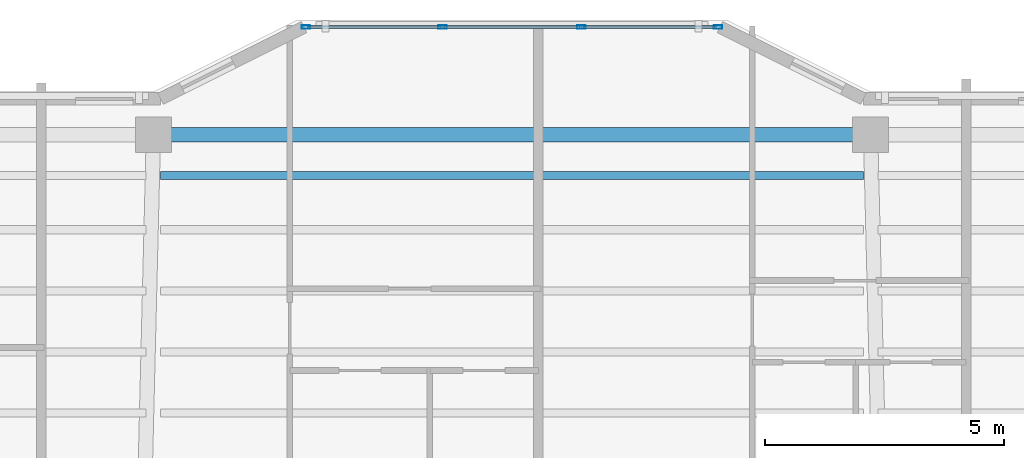
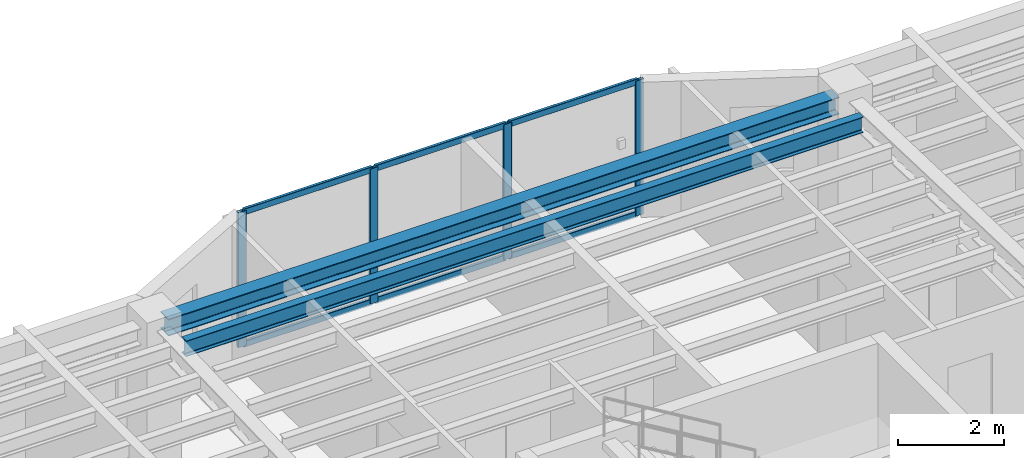
# One storey, part 2 of 12: 10 members, 2 beams, 1 element without a shape of its own.
"""IFC4 building model written with IfcOpenShell, lengths in metres."""

from ifc_helpers import new_model, si_unit, direction, frame, origin, origin_2d, place, context, subcontext, project, spatial, hollow_rectangle, i_section, extrude, material, layer, layer_set, material_profile, profile_set, type_object, element, aggregate, save


model = new_model("IFC4")

# Units and contexts
model_context = context("Model", 3, precision=1e-05, world=origin(), true_north=direction((0.0, 1.0)))
body_context = subcontext(model_context, "Body", "Model", "MODEL_VIEW")
ifc_project = project(units=[si_unit("LENGTHUNIT", "METRE"), si_unit("AREAUNIT", "SQUARE_METRE"), si_unit("VOLUMEUNIT", "CUBIC_METRE"), si_unit("PLANEANGLEUNIT", "RADIAN"), si_unit("MASSUNIT", "GRAM", prefix="KILO")], contexts=[model_context])

# Site, building, storey
site_placement = place(None, origin())
site = spatial("IfcSite", under=ifc_project, at=site_placement, CompositionType="ELEMENT")
building_placement = place(site_placement, origin())
building = spatial("IfcBuilding", under=site, at=building_placement, Name="Tarnavaz Court Tower", CompositionType="ELEMENT")
storey_placement = place(building_placement, frame((0.0, 0.0, 207.0)))
storey = spatial("IfcBuildingStorey", under=building, at=storey_placement, Name="L56", CompositionType="ELEMENT", Elevation=207.0)

# Beams
ifc_material_1 = material(Name="Steel S355", Category="steel")
ifc_material_profile_1 = material_profile(ifc_material_1, i_section(OverallWidth=0.169921875, OverallDepth=0.360107421875, WebThickness=0.008056640625, FlangeThickness=0.0126953125, FilletRadius=0.01806640625, at=origin_2d()), Name="IPE 360")
ifc_profile_set_1 = profile_set([ifc_material_profile_1], Name="Steel S355")
beam_type_1 = type_object("IfcBeamType", Name="BM-J-IPE360", PredefinedType="JOIST", material=ifc_profile_set_1)
beam_1_placement = place(storey_placement, frame((-7.35009765625, 19.248046875, 2.919921875), z_axis=(1.0, 0.0, 0.0), x_axis=(0.0, 1.0, 0.0)))
element("IfcBeam", 1, at=beam_1_placement, inside=storey, type_object=beam_type_1, Name="L56 Beam JN5-2", PredefinedType="JOIST", context=body_context, shape_type="SweptSolid", body=[
    extrude(i_section(OverallWidth=0.169921875, OverallDepth=0.360107421875, WebThickness=0.008056640625, FlangeThickness=0.0126953125, FilletRadius=0.01806640625, at=origin_2d()), origin(), (0.0, 0.0, 1.0), 14.7001953125),
])
ifc_material_profile_2 = material_profile(ifc_material_1, i_section(OverallWidth=0.300048828125, OverallDepth=0.389892578125, WebThickness=0.010986328125, FlangeThickness=0.01904296875, FilletRadius=0.027099609375, at=origin_2d()), Name="HEA 400")
ifc_profile_set_2 = profile_set([ifc_material_profile_2], Name="Steel S355")
beam_type_2 = type_object("IfcBeamType", Name="BM-SP-HEA400", PredefinedType="BEAM", material=ifc_profile_set_2)
beam_2_placement = place(storey_placement, frame((-7.280029296875, 20.10009765625, 2.905029296875), z_axis=(1.0, 0.0, 0.0), x_axis=(0.0, 1.0, 0.0)))
element("IfcBeam", 2, at=beam_2_placement, inside=storey, type_object=beam_type_2, Name="L56 Beam PR-PN-2-PN-3", PredefinedType="BEAM", context=body_context, shape_type="SweptSolid", body=[
    extrude(i_section(OverallWidth=0.300048828125, OverallDepth=0.389892578125, WebThickness=0.010986328125, FlangeThickness=0.01904296875, FilletRadius=0.027099609375, at=origin_2d()), origin(), (0.0, 0.0, 1.0), 14.56005859375),
])

# Curtain wall, members
ifc_material_2 = material(Name="Anodised Aluminium 6063-T6 and Solar Low-E Glazing", Category="aluminium")
ifc_layer = layer(ifc_material_2, 0.159912109375)
ifc_layer_set = layer_set([ifc_layer], Name="Anodised Aluminium 6063-T6 and Solar Low-E Glazing")
curtain_wall_type = type_object("IfcCurtainWallType", Name="CW-SYS-03", PredefinedType="NOTDEFINED", material=ifc_layer_set)
curtain_wall_placement = place(storey_placement, origin())
curtain_wall = element("IfcCurtainWall", 3, at=curtain_wall_placement, inside=storey, type_object=curtain_wall_type, Name="L56 Iwan Prow Curtain Wall 7", PredefinedType="NOTDEFINED")
ifc_material_3 = material(Name="Anodised Aluminium 6063-T6", Category="aluminium")
ifc_material_profile_3 = material_profile(ifc_material_3, hollow_rectangle(XDim=0.074951171875, YDim=0.179931640625, WallThickness=0.0048828125, InnerFilletRadius=0.0048828125, OuterFilletRadius=0.010009765625, at=origin_2d()), Name="ALU RHS 180X75X5")
ifc_profile_set_3 = profile_set([ifc_material_profile_3], Name="Anodised Aluminium 6063-T6")
member_type_1 = type_object("IfcMemberType", Name="CW-MUL-180", PredefinedType="MULLION", material=ifc_profile_set_3)
member_1_placement = place(storey_placement, frame((-4.3125, 22.35009765625, 0.0), z_axis=(0.0, 0.0, 1.0), x_axis=(0.0, 1.0, 0.0)))
member_1 = element("IfcMember", 4, at=member_1_placement, type_object=member_type_1, Name="CW mullion 1", PredefinedType="MULLION", context=body_context, shape_type="SweptSolid", body=[
    extrude(hollow_rectangle(XDim=0.074951171875, YDim=0.179931640625, WallThickness=0.0048828125, InnerFilletRadius=0.0048828125, OuterFilletRadius=0.010009765625, at=origin_2d()), origin(), (0.0, 0.0, 1.0), 3.10009765625),
])
member_2_placement = place(storey_placement, frame((-1.449951171875, 22.35009765625, 0.0), z_axis=(0.0, 0.0, 1.0), x_axis=(0.0, 1.0, 0.0)))
member_2 = element("IfcMember", 5, at=member_2_placement, type_object=member_type_1, Name="CW mullion 2", PredefinedType="MULLION", context=body_context, shape_type="SweptSolid", body=[
    extrude(hollow_rectangle(XDim=0.074951171875, YDim=0.179931640625, WallThickness=0.0048828125, InnerFilletRadius=0.0048828125, OuterFilletRadius=0.010009765625, at=origin_2d()), origin(), (0.0, 0.0, 1.0), 3.10009765625),
])
member_3_placement = place(storey_placement, frame((1.449951171875, 22.35009765625, 0.0), z_axis=(0.0, 0.0, 1.0), x_axis=(0.0, 1.0, 0.0)))
member_3 = element("IfcMember", 6, at=member_3_placement, type_object=member_type_1, Name="CW mullion 3", PredefinedType="MULLION", context=body_context, shape_type="SweptSolid", body=[
    extrude(hollow_rectangle(XDim=0.074951171875, YDim=0.179931640625, WallThickness=0.0048828125, InnerFilletRadius=0.0048828125, OuterFilletRadius=0.010009765625, at=origin_2d()), origin(), (0.0, 0.0, 1.0), 3.10009765625),
])
member_4_placement = place(storey_placement, frame((4.3125, 22.35009765625, 0.0), z_axis=(0.0, 0.0, 1.0), x_axis=(0.0, 1.0, 0.0)))
member_4 = element("IfcMember", 7, at=member_4_placement, type_object=member_type_1, Name="CW mullion 4", PredefinedType="MULLION", context=body_context, shape_type="SweptSolid", body=[
    extrude(hollow_rectangle(XDim=0.074951171875, YDim=0.179931640625, WallThickness=0.0048828125, InnerFilletRadius=0.0048828125, OuterFilletRadius=0.010009765625, at=origin_2d()), origin(), (0.0, 0.0, 1.0), 3.10009765625),
])
ifc_material_profile_4 = material_profile(ifc_material_3, hollow_rectangle(XDim=0.06494140625, YDim=0.139892578125, WallThickness=0.00390625, InnerFilletRadius=0.00390625, OuterFilletRadius=0.008056640625, at=origin_2d()), Name="ALU RHS 140X65X4")
ifc_profile_set_4 = profile_set([ifc_material_profile_4], Name="Anodised Aluminium 6063-T6")
member_type_2 = type_object("IfcMemberType", Name="CW-TRN-140", PredefinedType="USERDEFINED", material=ifc_profile_set_4)
member_5_placement = place(storey_placement, frame((-4.27490234375, 22.35009765625, 0.032470703125), z_axis=(1.0, 0.0, 0.0), x_axis=(0.0, 1.0, 0.0)))
member_5 = element("IfcMember", 8, at=member_5_placement, type_object=member_type_2, Name="CW transom 1.1", ObjectType="TRANSOM", PredefinedType="USERDEFINED", context=body_context, shape_type="SweptSolid", body=[
    extrude(hollow_rectangle(XDim=0.06494140625, YDim=0.139892578125, WallThickness=0.00390625, InnerFilletRadius=0.00390625, OuterFilletRadius=0.008056640625, at=origin_2d()), origin(), (0.0, 0.0, 1.0), 2.787353515625),
])
member_6_placement = place(storey_placement, frame((-4.27490234375, 22.35009765625, 3.0673828125), z_axis=(1.0, 0.0, 0.0), x_axis=(0.0, 1.0, 0.0)))
member_6 = element("IfcMember", 9, at=member_6_placement, type_object=member_type_2, Name="CW transom 1.2", ObjectType="TRANSOM", PredefinedType="USERDEFINED", context=body_context, shape_type="SweptSolid", body=[
    extrude(hollow_rectangle(XDim=0.06494140625, YDim=0.139892578125, WallThickness=0.00390625, InnerFilletRadius=0.00390625, OuterFilletRadius=0.008056640625, at=origin_2d()), origin(), (0.0, 0.0, 1.0), 2.787353515625),
])
member_7_placement = place(storey_placement, frame((-1.41259765625, 22.35009765625, 0.032470703125), z_axis=(1.0, 0.0, 0.0), x_axis=(0.0, 1.0, 0.0)))
member_7 = element("IfcMember", 10, at=member_7_placement, type_object=member_type_2, Name="CW transom 2.1", ObjectType="TRANSOM", PredefinedType="USERDEFINED", context=body_context, shape_type="SweptSolid", body=[
    extrude(hollow_rectangle(XDim=0.06494140625, YDim=0.139892578125, WallThickness=0.00390625, InnerFilletRadius=0.00390625, OuterFilletRadius=0.008056640625, at=origin_2d()), origin(), (0.0, 0.0, 1.0), 2.8251953125),
])
member_8_placement = place(storey_placement, frame((-1.41259765625, 22.35009765625, 3.0673828125), z_axis=(1.0, 0.0, 0.0), x_axis=(0.0, 1.0, 0.0)))
member_8 = element("IfcMember", 11, at=member_8_placement, type_object=member_type_2, Name="CW transom 2.2", ObjectType="TRANSOM", PredefinedType="USERDEFINED", context=body_context, shape_type="SweptSolid", body=[
    extrude(hollow_rectangle(XDim=0.06494140625, YDim=0.139892578125, WallThickness=0.00390625, InnerFilletRadius=0.00390625, OuterFilletRadius=0.008056640625, at=origin_2d()), origin(), (0.0, 0.0, 1.0), 2.8251953125),
])
member_9_placement = place(storey_placement, frame((1.487548828125, 22.35009765625, 0.032470703125), z_axis=(1.0, 0.0, 0.0), x_axis=(0.0, 1.0, 0.0)))
member_9 = element("IfcMember", 12, at=member_9_placement, type_object=member_type_2, Name="CW transom 3.1", ObjectType="TRANSOM", PredefinedType="USERDEFINED", context=body_context, shape_type="SweptSolid", body=[
    extrude(hollow_rectangle(XDim=0.06494140625, YDim=0.139892578125, WallThickness=0.00390625, InnerFilletRadius=0.00390625, OuterFilletRadius=0.008056640625, at=origin_2d()), origin(), (0.0, 0.0, 1.0), 2.787353515625),
])
member_10_placement = place(storey_placement, frame((1.487548828125, 22.35009765625, 3.0673828125), z_axis=(1.0, 0.0, 0.0), x_axis=(0.0, 1.0, 0.0)))
member_10 = element("IfcMember", 13, at=member_10_placement, type_object=member_type_2, Name="CW transom 3.2", ObjectType="TRANSOM", PredefinedType="USERDEFINED", context=body_context, shape_type="SweptSolid", body=[
    extrude(hollow_rectangle(XDim=0.06494140625, YDim=0.139892578125, WallThickness=0.00390625, InnerFilletRadius=0.00390625, OuterFilletRadius=0.008056640625, at=origin_2d()), origin(), (0.0, 0.0, 1.0), 2.787353515625),
])
aggregate(curtain_wall, [member_1, member_2, member_3, member_4, member_5, member_6, member_7, member_8, member_9, member_10])

save(model, "model.ifc")
